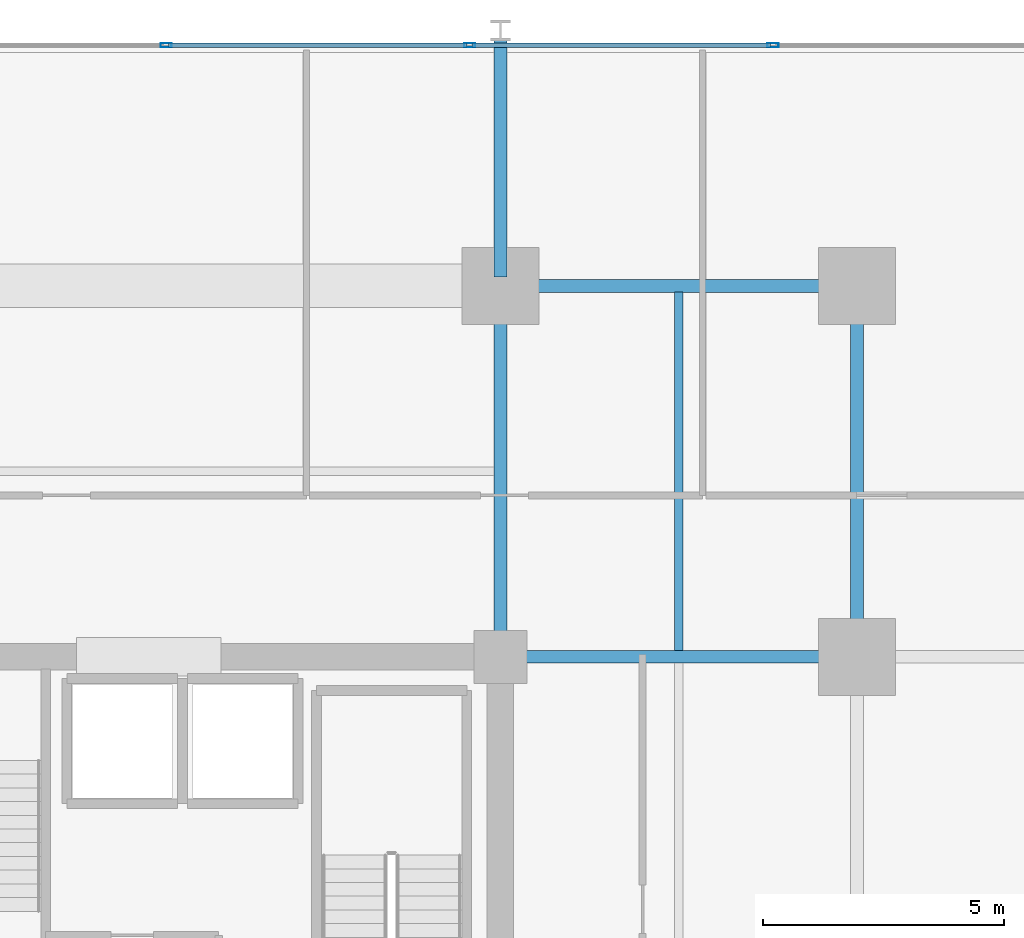
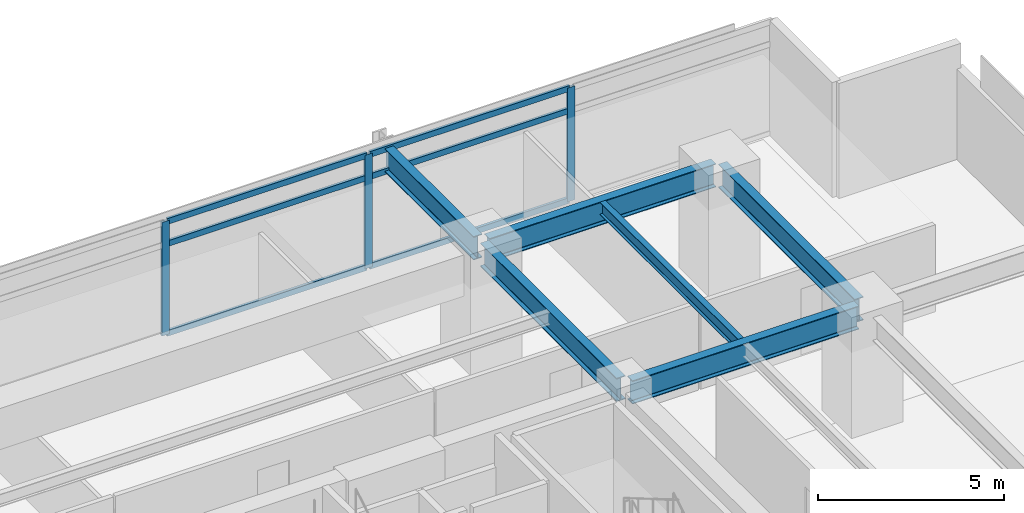
# One storey, part 10 of 21: 9 members, 6 beams, 1 element without a shape of its own.
"""IFC4 building model written with IfcOpenShell, lengths in metres."""

from ifc_helpers import new_model, si_unit, direction, frame, origin, origin_2d, place, context, subcontext, project, spatial, hollow_rectangle, i_section, extrude, material, material_profile, profile_set, type_object, element, aggregate, save


model = new_model("IFC4")

# Units and contexts
model_context = context("Model", 3, precision=1e-05, world=origin(), true_north=direction((0.0, 1.0)))
body_context = subcontext(model_context, "Body", "Model", "MODEL_VIEW")
ifc_project = project(units=[si_unit("LENGTHUNIT", "METRE"), si_unit("AREAUNIT", "SQUARE_METRE"), si_unit("VOLUMEUNIT", "CUBIC_METRE"), si_unit("PLANEANGLEUNIT", "RADIAN"), si_unit("MASSUNIT", "GRAM", prefix="KILO")], contexts=[model_context])

# Site, building, storey
site_placement = place(None, origin())
site = spatial("IfcSite", under=ifc_project, at=site_placement, CompositionType="ELEMENT")
building_placement = place(site_placement, origin())
building = spatial("IfcBuilding", under=site, at=building_placement, Name="Kovane Verandah Tower", CompositionType="ELEMENT")
storey_placement = place(building_placement, frame((0.0, 0.0, 176.39990234375)))
storey = spatial("IfcBuildingStorey", under=building, at=storey_placement, Name="L41", CompositionType="ELEMENT", Elevation=176.39990234375)

# Beams
ifc_material_1 = material(Name="Steel S355", Category="steel")
ifc_material_profile_1 = material_profile(ifc_material_1, i_section(OverallWidth=0.26806640625, OverallDepth=0.769775390625, WebThickness=0.015625, FlangeThickness=0.025390625, FilletRadius=0.0166015625, at=origin_2d()), Name="UB762x267x197")
ifc_profile_set_1 = profile_set([ifc_material_profile_1], Name="Steel S355")
beam_type_1 = type_object("IfcBeamType", Name="BM-UB762x197", PredefinedType="BEAM", material=ifc_profile_set_1)
beam_1_placement = place(storey_placement, frame((51.179931640625, 44.199951171875, 3.39013671875), z_axis=(1.0, 0.0, 0.0), x_axis=(0.0, 1.0, 0.0)))
element("IfcBeam", 1, at=beam_1_placement, inside=storey, type_object=beam_type_1, Name="L41 Primary Tower Girder G-RN3", PredefinedType="BEAM", context=body_context, shape_type="SweptSolid", body=[
    extrude(i_section(OverallWidth=0.26806640625, OverallDepth=0.769775390625, WebThickness=0.015625, FlangeThickness=0.025390625, FilletRadius=0.0166015625, at=origin_2d()), origin(), (0.0, 0.0, 1.0), 7.0400390625),
])
beam_2_placement = place(storey_placement, frame((58.39990234375, 36.679931640625, 3.39013671875), z_axis=(0.0, 1.0, 0.0), x_axis=(-1.0, 0.0, 0.0)))
element("IfcBeam", 2, at=beam_2_placement, inside=storey, type_object=beam_type_1, Name="L41 Primary Tower Girder G-RE3", PredefinedType="BEAM", context=body_context, shape_type="SweptSolid", body=[
    extrude(i_section(OverallWidth=0.26806640625, OverallDepth=0.769775390625, WebThickness=0.015625, FlangeThickness=0.025390625, FilletRadius=0.0166015625, at=origin_2d()), origin(), (0.0, 0.0, 1.0), 7.340087890625),
])
beam_3_placement = place(storey_placement, frame((51.179931640625, 36.5, 3.39013671875), z_axis=(1.0, 0.0, 0.0), x_axis=(0.0, 1.0, 0.0)))
element("IfcBeam", 3, at=beam_3_placement, inside=storey, type_object=beam_type_1, Name="L41 Primary Tower Girder G-E2", PredefinedType="BEAM", context=body_context, shape_type="SweptSolid", body=[
    extrude(i_section(OverallWidth=0.26806640625, OverallDepth=0.769775390625, WebThickness=0.015625, FlangeThickness=0.025390625, FilletRadius=0.0166015625, at=origin_2d()), origin(), (0.0, 0.0, 1.0), 7.0400390625),
])
beam_4_placement = place(storey_placement, frame((51.0, 36.679931640625, 3.39013671875), z_axis=(0.0, 1.0, 0.0), x_axis=(-1.0, 0.0, 0.0)))
element("IfcBeam", 4, at=beam_4_placement, inside=storey, type_object=beam_type_1, Name="L41 Primary Tower Girder G-N2", PredefinedType="BEAM", context=body_context, shape_type="SweptSolid", body=[
    extrude(i_section(OverallWidth=0.26806640625, OverallDepth=0.769775390625, WebThickness=0.015625, FlangeThickness=0.025390625, FilletRadius=0.0166015625, at=origin_2d()), origin(), (0.0, 0.0, 1.0), 7.340087890625),
])
beam_5_placement = place(storey_placement, frame((51.0, 44.3798828125, 3.375244140625), z_axis=(0.0, 1.0, 0.0), x_axis=(-1.0, 0.0, 0.0)))
element("IfcBeam", 5, at=beam_5_placement, inside=storey, type_object=beam_type_1, Name="L41 Primary Tower Girder G-VN2", PredefinedType="BEAM", context=body_context, shape_type="SweptSolid", body=[
    extrude(i_section(OverallWidth=0.26806640625, OverallDepth=0.769775390625, WebThickness=0.015625, FlangeThickness=0.025390625, FilletRadius=0.0166015625, at=origin_2d()), origin(), (0.0, 0.0, 1.0), 4.940185546875),
])

# Curtain wall, members
ifc_material_2 = material(Name="Champagne Anodised Aluminium Frame with Low-E Clear Laminated Glass", Category="aluminium")
curtain_wall_type = type_object("IfcCurtainWallType", Name="CW-SYS-03-MID", PredefinedType="NOTDEFINED", material=ifc_material_2)
curtain_wall_placement = place(storey_placement, origin())
curtain_wall = element("IfcCurtainWall", 6, at=curtain_wall_placement, inside=storey, type_object=curtain_wall_type, Name="L41 N Unitised Curtain Wall", PredefinedType="NOTDEFINED")
ifc_material_3 = material(Name="Champagne Anodised Aluminium 6063-T6", Category="aluminium")
ifc_material_profile_2 = material_profile(ifc_material_3, hollow_rectangle(XDim=0.0849609375, YDim=0.22998046875, WallThickness=0.00390625, at=origin_2d()), Name="AL85x230x4")
ifc_profile_set_2 = profile_set([ifc_material_profile_2], Name="Champagne Anodised Aluminium 6063-T6")
member_type_1 = type_object("IfcMemberType", Name="CW-MUL-85x230", PredefinedType="MULLION", material=ifc_profile_set_2)
member_1_placement = place(storey_placement, frame((56.656982421875, 49.195068359375, 0.02001953125), z_axis=(0.0, 0.0, 1.0), x_axis=(0.0, 1.0, 0.0)))
member_1 = element("IfcMember", 7, at=member_1_placement, type_object=member_type_1, Name="L41 N Unitised Curtain Wall Mullion 2", PredefinedType="MULLION", context=body_context, shape_type="SweptSolid", body=[
    extrude(hollow_rectangle(XDim=0.0849609375, YDim=0.22998046875, WallThickness=0.00390625, at=origin_2d()), origin(), (0.0, 0.0, 1.0), 3.735107421875),
])
member_2_placement = place(storey_placement, frame((50.358154296875, 49.195068359375, 0.02001953125), z_axis=(0.0, 0.0, 1.0), x_axis=(0.0, 1.0, 0.0)))
member_2 = element("IfcMember", 8, at=member_2_placement, type_object=member_type_1, Name="L41 N Unitised Curtain Wall Mullion 3", PredefinedType="MULLION", context=body_context, shape_type="SweptSolid", body=[
    extrude(hollow_rectangle(XDim=0.0849609375, YDim=0.22998046875, WallThickness=0.00390625, at=origin_2d()), origin(), (0.0, 0.0, 1.0), 3.735107421875),
])
member_3_placement = place(storey_placement, frame((44.059326171875, 49.195068359375, 0.02001953125), z_axis=(0.0, 0.0, 1.0), x_axis=(0.0, 1.0, 0.0)))
member_3 = element("IfcMember", 9, at=member_3_placement, type_object=member_type_1, Name="L41 N Unitised Curtain Wall Mullion 4", PredefinedType="MULLION", context=body_context, shape_type="SweptSolid", body=[
    extrude(hollow_rectangle(XDim=0.0849609375, YDim=0.22998046875, WallThickness=0.00390625, at=origin_2d()), origin(), (0.0, 0.0, 1.0), 3.735107421875),
])
ifc_material_profile_3 = material_profile(ifc_material_3, hollow_rectangle(XDim=0.0849609375, YDim=0.18994140625, WallThickness=0.00390625, at=origin_2d()), Name="AL85x190x4")
ifc_profile_set_3 = profile_set([ifc_material_profile_3], Name="Champagne Anodised Aluminium 6063-T6")
member_type_2 = type_object("IfcMemberType", Name="CW-TRN-85x190", PredefinedType="USERDEFINED", material=ifc_profile_set_3)
member_4_placement = place(storey_placement, frame((56.60693359375, 49.195068359375, 0.050048828125), z_axis=(-1.0, 0.0, 0.0), x_axis=(0.0, -1.0, 0.0)))
member_4 = element("IfcMember", 10, at=member_4_placement, type_object=member_type_2, Name="L41 N Unitised Curtain Wall Transom TB Bay 2", ObjectType="TRANSOM", PredefinedType="USERDEFINED", context=body_context, shape_type="SweptSolid", body=[
    extrude(hollow_rectangle(XDim=0.0849609375, YDim=0.18994140625, WallThickness=0.00390625, at=origin_2d()), origin(), (0.0, 0.0, 1.0), 6.19873046875),
])
member_5_placement = place(storey_placement, frame((56.60693359375, 49.195068359375, 2.9951171875), z_axis=(-1.0, 0.0, 0.0), x_axis=(0.0, -1.0, 0.0)))
member_5 = element("IfcMember", 11, at=member_5_placement, type_object=member_type_2, Name="L41 N Unitised Curtain Wall Transom TM Bay 2", ObjectType="TRANSOM", PredefinedType="USERDEFINED", context=body_context, shape_type="SweptSolid", body=[
    extrude(hollow_rectangle(XDim=0.0849609375, YDim=0.18994140625, WallThickness=0.00390625, at=origin_2d()), origin(), (0.0, 0.0, 1.0), 6.19873046875),
])
member_6_placement = place(storey_placement, frame((56.60693359375, 49.195068359375, 3.72509765625), z_axis=(-1.0, 0.0, 0.0), x_axis=(0.0, -1.0, 0.0)))
member_6 = element("IfcMember", 12, at=member_6_placement, type_object=member_type_2, Name="L41 N Unitised Curtain Wall Transom TT Bay 2", ObjectType="TRANSOM", PredefinedType="USERDEFINED", context=body_context, shape_type="SweptSolid", body=[
    extrude(hollow_rectangle(XDim=0.0849609375, YDim=0.18994140625, WallThickness=0.00390625, at=origin_2d()), origin(), (0.0, 0.0, 1.0), 6.19873046875),
])
member_7_placement = place(storey_placement, frame((50.30810546875, 49.195068359375, 0.050048828125), z_axis=(-1.0, 0.0, 0.0), x_axis=(0.0, -1.0, 0.0)))
member_7 = element("IfcMember", 13, at=member_7_placement, type_object=member_type_2, Name="L41 N Unitised Curtain Wall Transom TB Bay 3", ObjectType="TRANSOM", PredefinedType="USERDEFINED", context=body_context, shape_type="SweptSolid", body=[
    extrude(hollow_rectangle(XDim=0.0849609375, YDim=0.18994140625, WallThickness=0.00390625, at=origin_2d()), origin(), (0.0, 0.0, 1.0), 6.19873046875),
])
member_8_placement = place(storey_placement, frame((50.30810546875, 49.195068359375, 2.9951171875), z_axis=(-1.0, 0.0, 0.0), x_axis=(0.0, -1.0, 0.0)))
member_8 = element("IfcMember", 14, at=member_8_placement, type_object=member_type_2, Name="L41 N Unitised Curtain Wall Transom TM Bay 3", ObjectType="TRANSOM", PredefinedType="USERDEFINED", context=body_context, shape_type="SweptSolid", body=[
    extrude(hollow_rectangle(XDim=0.0849609375, YDim=0.18994140625, WallThickness=0.00390625, at=origin_2d()), origin(), (0.0, 0.0, 1.0), 6.19873046875),
])
member_9_placement = place(storey_placement, frame((50.30810546875, 49.195068359375, 3.72509765625), z_axis=(-1.0, 0.0, 0.0), x_axis=(0.0, -1.0, 0.0)))
member_9 = element("IfcMember", 15, at=member_9_placement, type_object=member_type_2, Name="L41 N Unitised Curtain Wall Transom TT Bay 3", ObjectType="TRANSOM", PredefinedType="USERDEFINED", context=body_context, shape_type="SweptSolid", body=[
    extrude(hollow_rectangle(XDim=0.0849609375, YDim=0.18994140625, WallThickness=0.00390625, at=origin_2d()), origin(), (0.0, 0.0, 1.0), 6.19873046875),
])
aggregate(curtain_wall, [member_1, member_2, member_3, member_4, member_5, member_6, member_7, member_8, member_9])

# Beam
ifc_material_profile_4 = material_profile(ifc_material_1, i_section(OverallWidth=0.179443359375, OverallDepth=0.412841796875, WebThickness=0.009521484375, FlangeThickness=0.01611328125, FilletRadius=0.01025390625, at=origin_2d()), Name="UB406x178x74")
ifc_profile_set_4 = profile_set([ifc_material_profile_4], Name="Steel S355")
beam_type_2 = type_object("IfcBeamType", Name="JST-UB406x74", PredefinedType="JOIST", material=ifc_profile_set_4)
beam_6_placement = place(storey_placement, frame((54.699951171875, 36.632080078125, 3.568603515625), z_axis=(0.0, 1.0, 0.0), x_axis=(-1.0, 0.0, 0.0)))
element("IfcBeam", 16, at=beam_6_placement, inside=storey, type_object=beam_type_2, Name="L41 Secondary Composite Joist J-NE1", PredefinedType="JOIST", context=body_context, shape_type="SweptSolid", body=[
    extrude(i_section(OverallWidth=0.179443359375, OverallDepth=0.412841796875, WebThickness=0.009521484375, FlangeThickness=0.01611328125, FilletRadius=0.01025390625, at=origin_2d()), origin(), (0.0, 0.0, 1.0), 7.43603515625),
])

save(model, "model.ifc")
